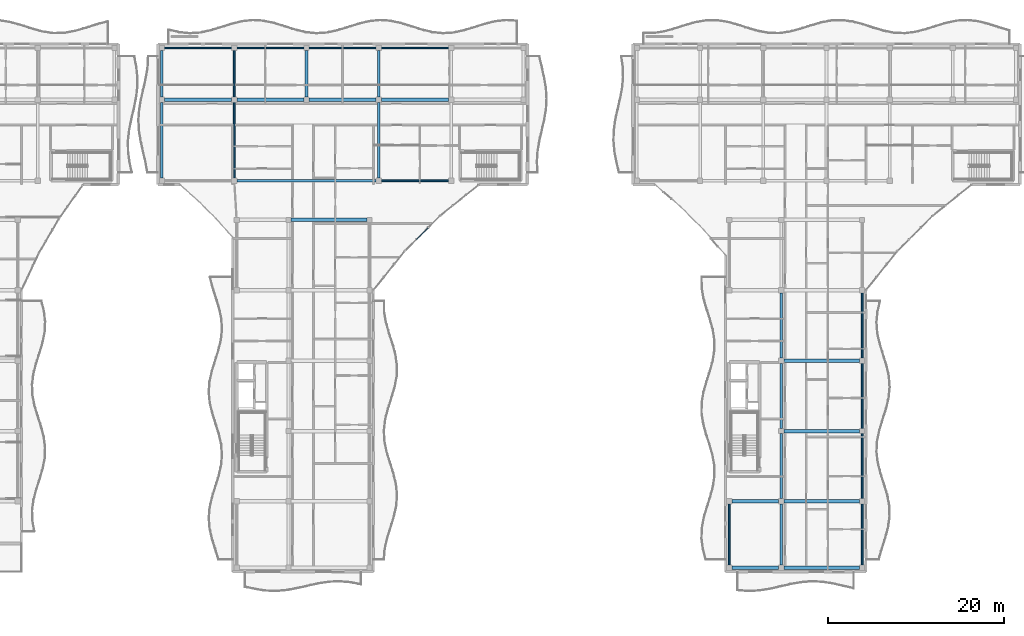
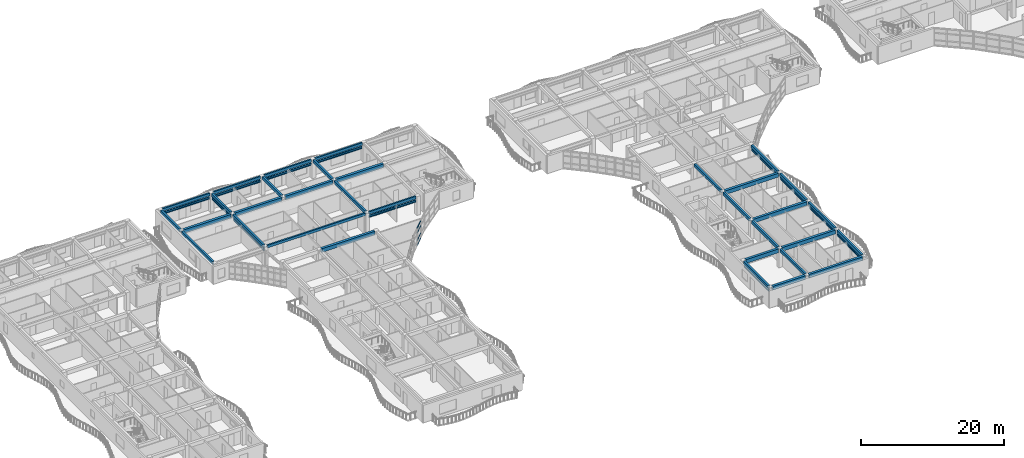
# One storey, part 7 of 72: 33 beams, 28 members, 1 element without a shape of its own.
"""IFC4 building model written with IfcOpenShell, lengths in metres."""

from ifc_helpers import new_model, si_unit, direction, frame, origin, origin_2d, place, context, subcontext, project, spatial, rectangle, hollow_rectangle, extrude, material, layer, layer_set, material_profile, profile_set, type_object, element, aggregate, save


model = new_model("IFC4")

# Units and contexts
model_context = context("Model", 3, precision=1e-05, world=origin(), true_north=direction((0.0, 1.0)))
body_context = subcontext(model_context, "Body", "Model", "MODEL_VIEW")
ifc_project = project(units=[si_unit("LENGTHUNIT", "METRE"), si_unit("AREAUNIT", "SQUARE_METRE"), si_unit("VOLUMEUNIT", "CUBIC_METRE"), si_unit("PLANEANGLEUNIT", "RADIAN"), si_unit("MASSUNIT", "GRAM", prefix="KILO")], contexts=[model_context])

# Site, building, storey
site_placement = place(None, origin())
site = spatial("IfcSite", under=ifc_project, at=site_placement, CompositionType="ELEMENT")
building_placement = place(site_placement, origin())
building = spatial("IfcBuilding", under=site, at=building_placement, Name="Keldmere Railside Commons", CompositionType="ELEMENT")
storey_placement = place(building_placement, frame((0.0, 0.0, 16.9599609375)))
storey = spatial("IfcBuildingStorey", under=building, at=storey_placement, Name="L05", CompositionType="ELEMENT", Elevation=16.9599609375)

# Members
ifc_material_1 = material(Name="Steel F-36 (S355)", Category="steel")
ifc_material_profile_1 = material_profile(ifc_material_1, hollow_rectangle(XDim=0.14990234375, YDim=0.25, WallThickness=0.010009765625, at=origin_2d()), Name="RHS-250x150x10")
ifc_profile_set_1 = profile_set([ifc_material_profile_1], Name="Steel F-36 (S355)")
member_type_1 = type_object("IfcMemberType", Name="Balcony Continuous Planted Trough RHS250x150", PredefinedType="CHORD", material=ifc_profile_set_1)
for number, where, z_axis, x_axis, name in (
    (1, (40.25, 115.550048828125, 2.4150390625), (1.0, 0.0, 0.0), (0.0, 1.0, 0.0), "PLT-1 MEM-BPLT-0587"),
    (2, (48.469970703125, 115.550048828125, 2.4150390625), (1.0, 0.0, 0.0), (0.0, 1.0, 0.0), "PLT-1 MEM-BPLT-0589"),
    (3, (56.68994140625, 115.550048828125, 2.4150390625), (1.0, 0.0, 0.0), (0.0, 1.0, 0.0), "PLT-1 MEM-BPLT-0591"),
    (4, (64.909912109375, 115.550048828125, 2.4150390625), (1.0, 0.0, 0.0), (0.0, 1.0, 0.0), "PLT-1 MEM-BPLT-0593"),
    (5, (64.909912109375, 100.449951171875, 2.4150390625), (1.0, 0.0, 0.0), (0.0, 1.0, 0.0), "PLT-1 MEM-BPLT-0599"),
):
    element("IfcMember", number, at=place(storey_placement, frame(where, z_axis=z_axis, x_axis=x_axis)), inside=storey, type_object=member_type_1, Name=name, PredefinedType="CHORD", context=body_context, shape_type="SweptSolid", body=[
        extrude(hollow_rectangle(XDim=0.14990234375, YDim=0.25, WallThickness=0.010009765625, at=origin_2d()), origin(), (0.0, 0.0, 1.0), 7.6201171875),
    ])
member_1_placement = place(storey_placement, frame((48.169921875, 100.75, 2.4150390625), z_axis=(0.0, 1.0, 0.0), x_axis=(-1.0, 0.0, 0.0)))
element("IfcMember", 6, at=member_1_placement, inside=storey, type_object=member_type_1, Name="PLT-1 MEM-BPLT-0607", PredefinedType="CHORD", context=body_context, shape_type="SweptSolid", body=[
    extrude(hollow_rectangle(XDim=0.14990234375, YDim=0.25, WallThickness=0.010009765625, at=origin_2d()), origin(), (0.0, 0.0, 1.0), 8.60009765625),
])
member_2_placement = place(storey_placement, frame((48.169921875, 109.949951171875, 2.4150390625), z_axis=(0.0, 1.0, 0.0), x_axis=(-1.0, 0.0, 0.0)))
element("IfcMember", 7, at=member_2_placement, inside=storey, type_object=member_type_1, Name="PLT-1 MEM-BPLT-0609", PredefinedType="CHORD", context=body_context, shape_type="SweptSolid", body=[
    extrude(hollow_rectangle(XDim=0.14990234375, YDim=0.25, WallThickness=0.010009765625, at=origin_2d()), origin(), (0.0, 0.0, 1.0), 5.300048828125),
])
for number, where, z_axis, x_axis, name in (
    (8, (104.449951171875, 56.75, 2.4150390625), (0.0, 1.0, 0.0), (-1.0, 0.0, 0.0), "PLT-1 MEM-BPLT-0635"),
    (9, (119.550048828125, 56.75, 2.4150390625), (0.0, 1.0, 0.0), (-1.0, 0.0, 0.0), "PLT-1 MEM-BPLT-0639"),
):
    element("IfcMember", number, at=place(storey_placement, frame(where, z_axis=z_axis, x_axis=x_axis)), inside=storey, type_object=member_type_1, Name=name, PredefinedType="CHORD", context=body_context, shape_type="SweptSolid", body=[
        extrude(hollow_rectangle(XDim=0.14990234375, YDim=0.25, WallThickness=0.010009765625, at=origin_2d()), origin(), (0.0, 0.0, 1.0), 6.949951171875),
    ])
for number, where, z_axis, x_axis, name in (
    (10, (119.550048828125, 64.300048828125, 2.4150390625), (0.0, 1.0, 0.0), (-1.0, 0.0, 0.0), "PLT-1 MEM-BPLT-0641"),
    (11, (119.550048828125, 72.300048828125, 2.4150390625), (0.0, 1.0, 0.0), (-1.0, 0.0, 0.0), "PLT-1 MEM-BPLT-0643"),
    (12, (119.550048828125, 80.300048828125, 2.4150390625), (0.0, 1.0, 0.0), (-1.0, 0.0, 0.0), "PLT-1 MEM-BPLT-0645"),
):
    element("IfcMember", number, at=place(storey_placement, frame(where, z_axis=z_axis, x_axis=x_axis)), inside=storey, type_object=member_type_1, Name=name, PredefinedType="CHORD", context=body_context, shape_type="SweptSolid", body=[
        extrude(hollow_rectangle(XDim=0.14990234375, YDim=0.25, WallThickness=0.010009765625, at=origin_2d()), origin(), (0.0, 0.0, 1.0), 7.39990234375),
    ])

# Beams
ifc_material_2 = material(Name="Architectural Precast Concrete H-35 (C35/45)", Category="concrete")
ifc_material_profile_2 = material_profile(ifc_material_2, rectangle(XDim=0.25, YDim=0.449951171875, at=origin_2d()), Name="RC-250x450")
ifc_profile_set_2 = profile_set([ifc_material_profile_2], Name="Architectural Precast Concrete H-35 (C35/45)")
beam_type_1 = type_object("IfcBeamType", Name="Perimeter Precast Spandrel Beam 250x450", PredefinedType="SPANDREL", material=ifc_profile_set_2)
beam_1_placement = place(storey_placement, frame((48.469970703125, 100.449951171875, 2.97509765625), z_axis=(1.0, 0.0, 0.0), x_axis=(0.0, 1.0, 0.0)))
element("IfcBeam", 13, at=beam_1_placement, inside=storey, type_object=beam_type_1, Name="SPB-1 BM-L05-1730", PredefinedType="SPANDREL", context=body_context, shape_type="SweptSolid", body=[
    extrude(rectangle(XDim=0.25, YDim=0.449951171875, at=origin_2d()), origin(), (0.0, 0.0, 1.0), 15.840087890625),
])
for number, where, z_axis, x_axis, name in (
    (14, (64.909912109375, 100.449951171875, 2.97509765625), (1.0, 0.0, 0.0), (0.0, 1.0, 0.0), "SPB-1 BM-L05-1731"),
    (15, (40.25, 115.550048828125, 2.97509765625), (1.0, 0.0, 0.0), (0.0, 1.0, 0.0), "SPB-1 BM-L05-1760"),
    (16, (48.469970703125, 115.550048828125, 2.97509765625), (1.0, 0.0, 0.0), (0.0, 1.0, 0.0), "SPB-1 BM-L05-1761"),
    (17, (56.68994140625, 115.550048828125, 2.97509765625), (1.0, 0.0, 0.0), (0.0, 1.0, 0.0), "SPB-1 BM-L05-1762"),
    (18, (64.909912109375, 115.550048828125, 2.97509765625), (1.0, 0.0, 0.0), (0.0, 1.0, 0.0), "SPB-1 BM-L05-1763"),
):
    element("IfcBeam", number, at=place(storey_placement, frame(where, z_axis=z_axis, x_axis=x_axis)), inside=storey, type_object=beam_type_1, Name=name, PredefinedType="SPANDREL", context=body_context, shape_type="SweptSolid", body=[
        extrude(rectangle(XDim=0.25, YDim=0.449951171875, at=origin_2d()), origin(), (0.0, 0.0, 1.0), 7.6201171875),
    ])
ifc_material_3 = material(Name="Concrete H-30 (C30/37)", Category="concrete")
ifc_material_profile_3 = material_profile(ifc_material_3, rectangle(XDim=0.39990234375, YDim=0.64990234375, at=origin_2d()), Name="RC-400x650")
ifc_profile_set_3 = profile_set([ifc_material_profile_3], Name="Concrete H-30 (C30/37)")
beam_type_2 = type_object("IfcBeamType", Name="Residential Spine RC Girder 400x650", PredefinedType="BEAM", material=ifc_profile_set_3)
beam_2_placement = place(storey_placement, frame((104.75, 56.449951171875, 2.875), z_axis=(1.0, 0.0, 0.0), x_axis=(0.0, 1.0, 0.0)))
element("IfcBeam", 19, at=beam_2_placement, inside=storey, type_object=beam_type_2, Name="BG-3 BM-L05-1692", PredefinedType="BEAM", context=body_context, shape_type="SweptSolid", body=[
    extrude(rectangle(XDim=0.39990234375, YDim=0.64990234375, at=origin_2d()), origin(), (0.0, 0.0, 1.0), 5.300048828125),
])
beam_3_placement = place(storey_placement, frame((110.64990234375, 56.449951171875, 2.875), z_axis=(1.0, 0.0, 0.0), x_axis=(0.0, 1.0, 0.0)))
element("IfcBeam", 20, at=beam_3_placement, inside=storey, type_object=beam_type_2, Name="BG-3 BM-L05-1693", PredefinedType="BEAM", context=body_context, shape_type="SweptSolid", body=[
    extrude(rectangle(XDim=0.39990234375, YDim=0.64990234375, at=origin_2d()), origin(), (0.0, 0.0, 1.0), 8.60009765625),
])
beam_4_placement = place(storey_placement, frame((104.75, 64.0, 2.875), z_axis=(1.0, 0.0, 0.0), x_axis=(0.0, 1.0, 0.0)))
element("IfcBeam", 21, at=beam_4_placement, inside=storey, type_object=beam_type_2, Name="BG-3 BM-L05-1700", PredefinedType="BEAM", context=body_context, shape_type="SweptSolid", body=[
    extrude(rectangle(XDim=0.39990234375, YDim=0.64990234375, at=origin_2d()), origin(), (0.0, 0.0, 1.0), 5.300048828125),
])
for number, where, z_axis, x_axis, name in (
    (22, (110.64990234375, 64.0, 2.875), (1.0, 0.0, 0.0), (0.0, 1.0, 0.0), "BG-3 BM-L05-1701"),
    (23, (110.64990234375, 72.0, 2.875), (1.0, 0.0, 0.0), (0.0, 1.0, 0.0), "BG-3 BM-L05-1706"),
    (24, (110.64990234375, 80.0, 2.875), (1.0, 0.0, 0.0), (0.0, 1.0, 0.0), "BG-3 BM-L05-1710"),
    (25, (54.64990234375, 96.0, 2.875), (1.0, 0.0, 0.0), (0.0, 1.0, 0.0), "BG-3 BM-L05-1723"),
):
    element("IfcBeam", number, at=place(storey_placement, frame(where, z_axis=z_axis, x_axis=x_axis)), inside=storey, type_object=beam_type_2, Name=name, PredefinedType="BEAM", context=body_context, shape_type="SweptSolid", body=[
        extrude(rectangle(XDim=0.39990234375, YDim=0.64990234375, at=origin_2d()), origin(), (0.0, 0.0, 1.0), 8.60009765625),
    ])
for number, where, z_axis, x_axis, name in (
    (26, (40.25, 109.64990234375, 2.875), (1.0, 0.0, 0.0), (0.0, 1.0, 0.0), "BG-3 BM-L05-1741"),
    (27, (48.469970703125, 109.64990234375, 2.875), (1.0, 0.0, 0.0), (0.0, 1.0, 0.0), "BG-3 BM-L05-1742"),
    (28, (56.68994140625, 109.64990234375, 2.875), (1.0, 0.0, 0.0), (0.0, 1.0, 0.0), "BG-3 BM-L05-1743"),
    (29, (64.909912109375, 109.64990234375, 2.875), (1.0, 0.0, 0.0), (0.0, 1.0, 0.0), "BG-3 BM-L05-1744"),
):
    element("IfcBeam", number, at=place(storey_placement, frame(where, z_axis=z_axis, x_axis=x_axis)), inside=storey, type_object=beam_type_2, Name=name, PredefinedType="BEAM", context=body_context, shape_type="SweptSolid", body=[
        extrude(rectangle(XDim=0.39990234375, YDim=0.64990234375, at=origin_2d()), origin(), (0.0, 0.0, 1.0), 7.6201171875),
    ])
ifc_material_profile_4 = material_profile(ifc_material_3, rectangle(XDim=0.300048828125, YDim=0.5, at=origin_2d()), Name="RC-300x500")
ifc_profile_set_4 = profile_set([ifc_material_profile_4], Name="Concrete H-30 (C30/37)")
beam_type_3 = type_object("IfcBeamType", Name="Secondary Frame RC Beam 300x500", PredefinedType="BEAM", material=ifc_profile_set_4)
beam_5_placement = place(storey_placement, frame((39.949951171875, 100.75, 2.949951171875), z_axis=(0.0, 1.0, 0.0), x_axis=(-1.0, 0.0, 0.0)))
element("IfcBeam", 30, at=beam_5_placement, inside=storey, type_object=beam_type_3, Name="BG-5 BM-L05-1792", PredefinedType="BEAM", context=body_context, shape_type="SweptSolid", body=[
    extrude(rectangle(XDim=0.300048828125, YDim=0.5, at=origin_2d()), origin(), (0.0, 0.0, 1.0), 8.60009765625),
])
beam_6_placement = place(storey_placement, frame((39.949951171875, 109.949951171875, 2.949951171875), z_axis=(0.0, 1.0, 0.0), x_axis=(-1.0, 0.0, 0.0)))
element("IfcBeam", 31, at=beam_6_placement, inside=storey, type_object=beam_type_3, Name="BG-5 BM-L05-1793", PredefinedType="BEAM", context=body_context, shape_type="SweptSolid", body=[
    extrude(rectangle(XDim=0.300048828125, YDim=0.5, at=origin_2d()), origin(), (0.0, 0.0, 1.0), 5.300048828125),
])
beam_7_placement = place(storey_placement, frame((48.169921875, 100.75, 2.949951171875), z_axis=(0.0, 1.0, 0.0), x_axis=(-1.0, 0.0, 0.0)))
element("IfcBeam", 32, at=beam_7_placement, inside=storey, type_object=beam_type_3, Name="BG-5 BM-L05-1794", PredefinedType="BEAM", context=body_context, shape_type="SweptSolid", body=[
    extrude(rectangle(XDim=0.300048828125, YDim=0.5, at=origin_2d()), origin(), (0.0, 0.0, 1.0), 8.60009765625),
])
for number, where, z_axis, x_axis, name in (
    (33, (48.169921875, 109.949951171875, 2.949951171875), (0.0, 1.0, 0.0), (-1.0, 0.0, 0.0), "BG-5 BM-L05-1795"),
    (34, (56.389892578125, 109.949951171875, 2.949951171875), (0.0, 1.0, 0.0), (-1.0, 0.0, 0.0), "BG-5 BM-L05-1803"),
):
    element("IfcBeam", number, at=place(storey_placement, frame(where, z_axis=z_axis, x_axis=x_axis)), inside=storey, type_object=beam_type_3, Name=name, PredefinedType="BEAM", context=body_context, shape_type="SweptSolid", body=[
        extrude(rectangle(XDim=0.300048828125, YDim=0.5, at=origin_2d()), origin(), (0.0, 0.0, 1.0), 5.300048828125),
    ])
beam_8_placement = place(storey_placement, frame((64.610107421875, 100.75, 2.949951171875), z_axis=(0.0, 1.0, 0.0), x_axis=(-1.0, 0.0, 0.0)))
element("IfcBeam", 35, at=beam_8_placement, inside=storey, type_object=beam_type_3, Name="BG-5 BM-L05-1809", PredefinedType="BEAM", context=body_context, shape_type="SweptSolid", body=[
    extrude(rectangle(XDim=0.300048828125, YDim=0.5, at=origin_2d()), origin(), (0.0, 0.0, 1.0), 8.60009765625),
])
beam_9_placement = place(storey_placement, frame((64.610107421875, 109.949951171875, 2.949951171875), z_axis=(0.0, 1.0, 0.0), x_axis=(-1.0, 0.0, 0.0)))
element("IfcBeam", 36, at=beam_9_placement, inside=storey, type_object=beam_type_3, Name="BG-5 BM-L05-1810", PredefinedType="BEAM", context=body_context, shape_type="SweptSolid", body=[
    extrude(rectangle(XDim=0.300048828125, YDim=0.5, at=origin_2d()), origin(), (0.0, 0.0, 1.0), 5.300048828125),
])
for number, where, z_axis, x_axis, name in (
    (37, (104.449951171875, 56.75, 2.949951171875), (0.0, 1.0, 0.0), (-1.0, 0.0, 0.0), "BG-5 BM-L05-1818"),
    (38, (110.35009765625, 56.75, 2.949951171875), (0.0, 1.0, 0.0), (-1.0, 0.0, 0.0), "BG-5 BM-L05-1822"),
):
    element("IfcBeam", number, at=place(storey_placement, frame(where, z_axis=z_axis, x_axis=x_axis)), inside=storey, type_object=beam_type_3, Name=name, PredefinedType="BEAM", context=body_context, shape_type="SweptSolid", body=[
        extrude(rectangle(XDim=0.300048828125, YDim=0.5, at=origin_2d()), origin(), (0.0, 0.0, 1.0), 6.949951171875),
    ])
for number, where, z_axis, x_axis, name in (
    (39, (110.35009765625, 64.300048828125, 2.949951171875), (0.0, 1.0, 0.0), (-1.0, 0.0, 0.0), "BG-5 BM-L05-1823"),
    (40, (110.35009765625, 72.300048828125, 2.949951171875), (0.0, 1.0, 0.0), (-1.0, 0.0, 0.0), "BG-5 BM-L05-1824"),
    (41, (110.35009765625, 80.300048828125, 2.949951171875), (0.0, 1.0, 0.0), (-1.0, 0.0, 0.0), "BG-5 BM-L05-1825"),
):
    element("IfcBeam", number, at=place(storey_placement, frame(where, z_axis=z_axis, x_axis=x_axis)), inside=storey, type_object=beam_type_3, Name=name, PredefinedType="BEAM", context=body_context, shape_type="SweptSolid", body=[
        extrude(rectangle(XDim=0.300048828125, YDim=0.5, at=origin_2d()), origin(), (0.0, 0.0, 1.0), 7.39990234375),
    ])
beam_10_placement = place(storey_placement, frame((119.550048828125, 56.75, 2.949951171875), z_axis=(0.0, 1.0, 0.0), x_axis=(-1.0, 0.0, 0.0)))
element("IfcBeam", 42, at=beam_10_placement, inside=storey, type_object=beam_type_3, Name="BG-5 BM-L05-1829", PredefinedType="BEAM", context=body_context, shape_type="SweptSolid", body=[
    extrude(rectangle(XDim=0.300048828125, YDim=0.5, at=origin_2d()), origin(), (0.0, 0.0, 1.0), 6.949951171875),
])
for number, where, z_axis, x_axis, name in (
    (43, (119.550048828125, 64.300048828125, 2.949951171875), (0.0, 1.0, 0.0), (-1.0, 0.0, 0.0), "BG-5 BM-L05-1830"),
    (44, (119.550048828125, 72.300048828125, 2.949951171875), (0.0, 1.0, 0.0), (-1.0, 0.0, 0.0), "BG-5 BM-L05-1831"),
    (45, (119.550048828125, 80.300048828125, 2.949951171875), (0.0, 1.0, 0.0), (-1.0, 0.0, 0.0), "BG-5 BM-L05-1832"),
):
    element("IfcBeam", number, at=place(storey_placement, frame(where, z_axis=z_axis, x_axis=x_axis)), inside=storey, type_object=beam_type_3, Name=name, PredefinedType="BEAM", context=body_context, shape_type="SweptSolid", body=[
        extrude(rectangle(XDim=0.300048828125, YDim=0.5, at=origin_2d()), origin(), (0.0, 0.0, 1.0), 7.39990234375),
    ])

# Members
ifc_material_profile_5 = material_profile(ifc_material_1, hollow_rectangle(XDim=0.10009765625, YDim=0.159912109375, WallThickness=0.008056640625, at=origin_2d()), Name="RHS-160x100x8")
ifc_profile_set_5 = profile_set([ifc_material_profile_5], Name="Steel F-36 (S355)")
member_type_2 = type_object("IfcMemberType", Name="Solar Brise-Soleil Louvre Fin RHS160x100", PredefinedType="STRUT", material=ifc_profile_set_5)
for number, where, z_axis, x_axis, name in (
    (46, (40.25, 115.550048828125, 2.199951171875), (1.0, 0.0, 0.0), (0.0, 1.0, 0.0), "BSF-1 MEM-BSF-0588"),
    (47, (48.469970703125, 115.550048828125, 2.199951171875), (1.0, 0.0, 0.0), (0.0, 1.0, 0.0), "BSF-1 MEM-BSF-0590"),
    (48, (56.68994140625, 115.550048828125, 2.199951171875), (1.0, 0.0, 0.0), (0.0, 1.0, 0.0), "BSF-1 MEM-BSF-0592"),
    (49, (64.909912109375, 115.550048828125, 2.199951171875), (1.0, 0.0, 0.0), (0.0, 1.0, 0.0), "BSF-1 MEM-BSF-0594"),
    (50, (64.909912109375, 100.449951171875, 2.199951171875), (1.0, 0.0, 0.0), (0.0, 1.0, 0.0), "BSF-1 MEM-BSF-0600"),
):
    element("IfcMember", number, at=place(storey_placement, frame(where, z_axis=z_axis, x_axis=x_axis)), inside=storey, type_object=member_type_2, Name=name, PredefinedType="STRUT", context=body_context, shape_type="SweptSolid", body=[
        extrude(hollow_rectangle(XDim=0.10009765625, YDim=0.159912109375, WallThickness=0.008056640625, at=origin_2d()), origin(), (0.0, 0.0, 1.0), 7.6201171875),
    ])
member_3_placement = place(storey_placement, frame((48.169921875, 100.75, 2.199951171875), z_axis=(0.0, 1.0, 0.0), x_axis=(-1.0, 0.0, 0.0)))
element("IfcMember", 51, at=member_3_placement, inside=storey, type_object=member_type_2, Name="BSF-1 MEM-BSF-0608", PredefinedType="STRUT", context=body_context, shape_type="SweptSolid", body=[
    extrude(hollow_rectangle(XDim=0.10009765625, YDim=0.159912109375, WallThickness=0.008056640625, at=origin_2d()), origin(), (0.0, 0.0, 1.0), 8.60009765625),
])
member_4_placement = place(storey_placement, frame((48.169921875, 109.949951171875, 2.199951171875), z_axis=(0.0, 1.0, 0.0), x_axis=(-1.0, 0.0, 0.0)))
element("IfcMember", 52, at=member_4_placement, inside=storey, type_object=member_type_2, Name="BSF-1 MEM-BSF-0610", PredefinedType="STRUT", context=body_context, shape_type="SweptSolid", body=[
    extrude(hollow_rectangle(XDim=0.10009765625, YDim=0.159912109375, WallThickness=0.008056640625, at=origin_2d()), origin(), (0.0, 0.0, 1.0), 5.300048828125),
])
for number, where, z_axis, x_axis, name in (
    (53, (104.449951171875, 56.75, 2.199951171875), (0.0, 1.0, 0.0), (-1.0, 0.0, 0.0), "BSF-1 MEM-BSF-0636"),
    (54, (119.550048828125, 56.75, 2.199951171875), (0.0, 1.0, 0.0), (-1.0, 0.0, 0.0), "BSF-1 MEM-BSF-0640"),
):
    element("IfcMember", number, at=place(storey_placement, frame(where, z_axis=z_axis, x_axis=x_axis)), inside=storey, type_object=member_type_2, Name=name, PredefinedType="STRUT", context=body_context, shape_type="SweptSolid", body=[
        extrude(hollow_rectangle(XDim=0.10009765625, YDim=0.159912109375, WallThickness=0.008056640625, at=origin_2d()), origin(), (0.0, 0.0, 1.0), 6.949951171875),
    ])
for number, where, z_axis, x_axis, name in (
    (55, (119.550048828125, 64.300048828125, 2.199951171875), (0.0, 1.0, 0.0), (-1.0, 0.0, 0.0), "BSF-1 MEM-BSF-0642"),
    (56, (119.550048828125, 72.300048828125, 2.199951171875), (0.0, 1.0, 0.0), (-1.0, 0.0, 0.0), "BSF-1 MEM-BSF-0644"),
    (57, (119.550048828125, 80.300048828125, 2.199951171875), (0.0, 1.0, 0.0), (-1.0, 0.0, 0.0), "BSF-1 MEM-BSF-0646"),
):
    element("IfcMember", number, at=place(storey_placement, frame(where, z_axis=z_axis, x_axis=x_axis)), inside=storey, type_object=member_type_2, Name=name, PredefinedType="STRUT", context=body_context, shape_type="SweptSolid", body=[
        extrude(hollow_rectangle(XDim=0.10009765625, YDim=0.159912109375, WallThickness=0.008056640625, at=origin_2d()), origin(), (0.0, 0.0, 1.0), 7.39990234375),
    ])

# Curtain wall, members
ifc_material_4 = material(Name="Thermally Broken Aluminium", Category="aluminium")
ifc_layer = layer(ifc_material_4, 0.159912109375, Name="Court Chord Wintergarden CW 5400x2850")
ifc_layer_set = layer_set([ifc_layer], Name="Thermally Broken Aluminium")
curtain_wall_type = type_object("IfcCurtainWallType", Name="Court Chord Wintergarden CW 5400x2850", PredefinedType="NOTDEFINED", material=ifc_layer_set)
curtain_wall_placement = place(storey_placement, origin())
curtain_wall = element("IfcCurtainWall", 58, at=curtain_wall_placement, inside=storey, type_object=curtain_wall_type, Name="CW-13 CW-L05-056", PredefinedType="NOTDEFINED")
ifc_material_profile_6 = material_profile(ifc_material_4, hollow_rectangle(XDim=0.06494140625, YDim=0.1201171875, WallThickness=0.00390625, at=origin_2d()), Name="ALU-TRAN-65x120")
ifc_profile_set_6 = profile_set([ifc_material_profile_6], Name="Thermally Broken Aluminium")
member_type_3 = type_object("IfcMemberType", Name="Unitised Curtain Wall Transom 65x120", PredefinedType="USERDEFINED", material=ifc_profile_set_6)
member_5_placement = place(storey_placement, frame((70.208251953125, 95.08447265625, 0.032470703125), z_axis=(-0.707106781187, -0.707106781187, 0.0), x_axis=(0.707106781187, -0.707106781187, 0.0)))
member_5 = element("IfcMember", 59, at=member_5_placement, type_object=member_type_3, Name="CW-13 transom 2.1", ObjectType="TRANSOM", PredefinedType="USERDEFINED", context=body_context, shape_type="SweptSolid", body=[
    extrude(hollow_rectangle(XDim=0.06494140625, YDim=0.1201171875, WallThickness=0.00390625, at=origin_2d()), origin(), (0.0, 0.0, 1.0), 1.828125),
])
member_6_placement = place(storey_placement, frame((70.208251953125, 95.08447265625, 0.900146484375), z_axis=(-0.707106781187, -0.707106781187, 0.0), x_axis=(0.707106781187, -0.707106781187, 0.0)))
member_6 = element("IfcMember", 60, at=member_6_placement, type_object=member_type_3, Name="CW-13 transom 2.2", ObjectType="TRANSOM", PredefinedType="USERDEFINED", context=body_context, shape_type="SweptSolid", body=[
    extrude(hollow_rectangle(XDim=0.06494140625, YDim=0.1201171875, WallThickness=0.00390625, at=origin_2d()), origin(), (0.0, 0.0, 1.0), 1.828125),
])
member_7_placement = place(storey_placement, frame((70.208251953125, 95.08447265625, 2.150146484375), z_axis=(-0.707106781187, -0.707106781187, 0.0), x_axis=(0.707106781187, -0.707106781187, 0.0)))
member_7 = element("IfcMember", 61, at=member_7_placement, type_object=member_type_3, Name="CW-13 transom 2.3", ObjectType="TRANSOM", PredefinedType="USERDEFINED", context=body_context, shape_type="SweptSolid", body=[
    extrude(hollow_rectangle(XDim=0.06494140625, YDim=0.1201171875, WallThickness=0.00390625, at=origin_2d()), origin(), (0.0, 0.0, 1.0), 1.828125),
])
member_8_placement = place(storey_placement, frame((70.208251953125, 95.08447265625, 2.947509765625), z_axis=(-0.707106781187, -0.707106781187, 0.0), x_axis=(0.707106781187, -0.707106781187, 0.0)))
member_8 = element("IfcMember", 62, at=member_8_placement, type_object=member_type_3, Name="CW-13 transom 2.4", ObjectType="TRANSOM", PredefinedType="USERDEFINED", context=body_context, shape_type="SweptSolid", body=[
    extrude(hollow_rectangle(XDim=0.06494140625, YDim=0.1201171875, WallThickness=0.00390625, at=origin_2d()), origin(), (0.0, 0.0, 1.0), 1.828125),
])
aggregate(curtain_wall, [member_5, member_6, member_7, member_8])

save(model, "model.ifc")
